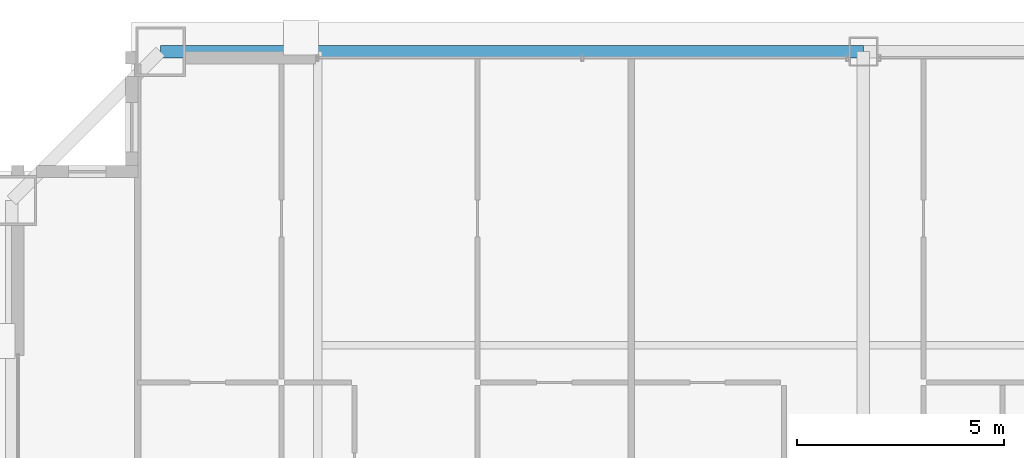
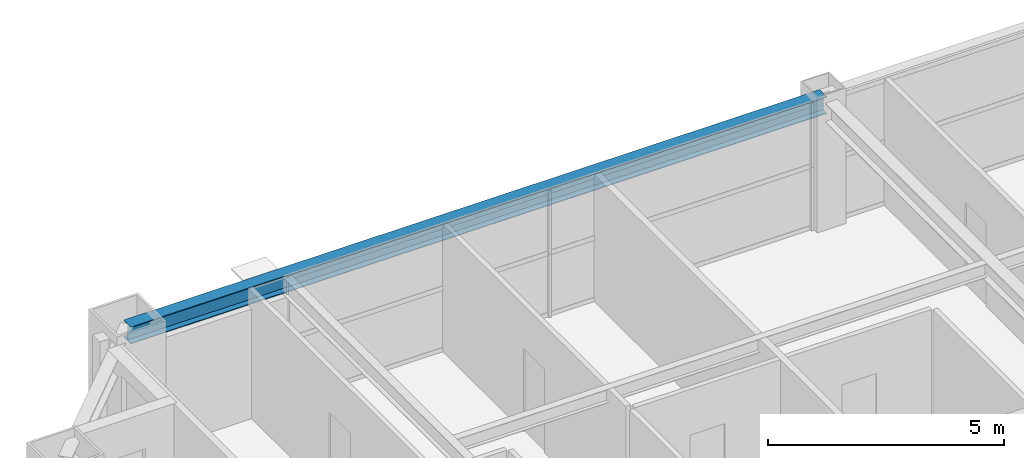
# One storey, part 25 of 37: 1 beam.
"""IFC4 building model written with IfcOpenShell, lengths in metres."""

import ifcopenshell
import ifcopenshell.guid

model = None  # the IFC model being written
_history = None  # IfcOwnerHistory: only IFC2X3 demands one
_inside = {}  # id of a spatial element -> (the spatial element, [elements in it])
_under = {}  # id of a project, library or spatial element -> (it, [spatial elements below it])
_declared = {}  # id of a project -> (the project, [libraries it declares])
_typed = {}  # id of a type object -> (the type object, [elements of that type])
_made_of = {}  # id of a material, layer set ... -> (it, [elements and type objects made of it])


def new_model(schema):
    """Start an empty IFC model of exactly this schema.

    Asked for "IFC4X3", IfcOpenShell would pick the latest addendum, in which some entities
    have other attributes; the version numbers below select the first issue.
    IFC2X3 requires an IfcOwnerHistory on every rooted entity: one is made here for all.
    """
    global model, _history
    if schema == "IFC4X3":
        model = ifcopenshell.file(schema_version=(4, 3, 0, 0))
    else:
        model = ifcopenshell.file(schema=schema)
    _inside.clear()
    _under.clear()
    _declared.clear()
    _typed.clear()
    _made_of.clear()
    _history = None
    if model.schema == "IFC2X3":
        org = make("IfcOrganization", Name="unknown")
        user = make(
            "IfcPersonAndOrganization",
            ThePerson=make("IfcPerson", FamilyName="unknown"),
            TheOrganization=org,
        )
        app = make(
            "IfcApplication",
            ApplicationDeveloper=org,
            Version="unknown",
            ApplicationFullName="unknown",
            ApplicationIdentifier="unknown",
        )
        _history = make(
            "IfcOwnerHistory",
            OwningUser=user,
            OwningApplication=app,
            ChangeAction="ADDED",
            CreationDate=0,
        )
    return model


def make(cls, **values):
    """One entity of the class cls with the attributes given. An attribute that is None is left unset."""
    return model.create_entity(
        cls, **{name: value for name, value in values.items() if value is not None}
    )


def rooted(cls, **values):
    """An entity with a GlobalId (a new one), such as an element, a storey or a relation."""
    return make(cls, GlobalId=ifcopenshell.guid.new(), OwnerHistory=_history, **values)


def si_unit(unit_type, name, prefix=None):
    """IfcSIUnit, for example si_unit("LENGTHUNIT", "METRE", prefix="MILLI")."""
    return make("IfcSIUnit", UnitType=unit_type, Prefix=prefix, Name=name)


def assignment(units):
    """IfcUnitAssignment: the units of a project."""
    return None if units is None else make("IfcUnitAssignment", Units=units)


def point(xyz):
    """IfcCartesianPoint."""
    return None if xyz is None else make("IfcCartesianPoint", Coordinates=xyz)


def direction(xyz):
    """IfcDirection."""
    return None if xyz is None else make("IfcDirection", DirectionRatios=xyz)


def frame(location, z_axis=None, x_axis=None):
    """IfcAxis2Placement3D, a coordinate frame: its origin and axes. An axis left out is left unset."""
    return make(
        "IfcAxis2Placement3D",
        Location=point(location),
        Axis=direction(z_axis),
        RefDirection=direction(x_axis),
    )


def frame_2d(location, x_axis=None):
    """IfcAxis2Placement2D, a coordinate frame in the plane: its origin and x axis."""
    return make(
        "IfcAxis2Placement2D", Location=point(location), RefDirection=direction(x_axis)
    )


def origin():
    """The frame at (0, 0, 0) with its axes left unset."""
    return frame((0.0, 0.0, 0.0))


def origin_2d():
    """The frame at (0, 0) in the plane with its x axis left unset."""
    return frame_2d((0.0, 0.0))


def place(relative_to, where):
    """IfcLocalPlacement: puts the frame where relative to a parent placement (None: the world)."""
    return make(
        "IfcLocalPlacement", PlacementRelTo=relative_to, RelativePlacement=where
    )


def context(
    kind, dimensions, precision=None, world=None, true_north=None, identifier=None
):
    """IfcGeometricRepresentationContext, for example the 3D "Model" context."""
    return make(
        "IfcGeometricRepresentationContext",
        ContextIdentifier=identifier,
        ContextType=kind,
        CoordinateSpaceDimension=dimensions,
        Precision=precision,
        WorldCoordinateSystem=world,
        TrueNorth=true_north,
    )


def subcontext(parent, identifier, kind, view, scale=None):
    """IfcGeometricRepresentationSubContext, for example "Body" below "Model"."""
    return make(
        "IfcGeometricRepresentationSubContext",
        ContextIdentifier=identifier,
        ContextType=kind,
        ParentContext=parent,
        TargetScale=scale,
        TargetView=view,
    )


def project(units=None, contexts=None):
    """IfcProject with its units and contexts."""
    return rooted(
        "IfcProject",
        Name="project",
        RepresentationContexts=contexts,
        UnitsInContext=assignment(units),
    )


def spatial(cls, under=None, at=None, **own):
    """A site, building, storey or space (cls), placed at a placement, below another one or the project."""
    s = rooted(cls, ObjectPlacement=at, **own)
    if under is not None:
        _under.setdefault(under.id(), (under, []))[1].append(s)
    return s


def profile(cls, at=None, kind="AREA", **sizes):
    """A parametric profile (cls). Its sizes go by their IFC names, for example OverallWidth=200.0."""
    return make(cls, ProfileType=kind, Position=at, **sizes)


def i_section(**sizes):
    """IfcIShapeProfileDef."""
    return profile("IfcIShapeProfileDef", **sizes)


def extrude(swept, where, along, depth):
    """IfcExtrudedAreaSolid: the profile swept, set in the frame where, extruded along a direction by depth."""
    return make(
        "IfcExtrudedAreaSolid",
        SweptArea=swept,
        Position=where,
        ExtrudedDirection=direction(along),
        Depth=depth,
    )


def shape(context_of_items, identifier, shape_type, items):
    """IfcShapeRepresentation: the items that make up one representation, for example the "Body"."""
    return make(
        "IfcShapeRepresentation",
        ContextOfItems=context_of_items,
        RepresentationIdentifier=identifier,
        RepresentationType=shape_type,
        Items=items,
    )


def source(mapping_origin, context_of_items, identifier, shape_type, items):
    """IfcRepresentationMap: a shape defined once, which mapped items show again and again."""
    return make(
        "IfcRepresentationMap",
        MappingOrigin=mapping_origin,
        MappedRepresentation=shape(context_of_items, identifier, shape_type, items),
    )


def transform(
    local_origin,
    x_axis=None,
    y_axis=None,
    z_axis=None,
    scale=None,
    scale2=None,
    scale3=None,
    uniform=True,
):
    """IfcCartesianTransformationOperator3D, or its non-uniform kind. x_axis, y_axis, z_axis: its Axis1, 2, 3."""
    if uniform:
        return make(
            "IfcCartesianTransformationOperator3D",
            Axis1=direction(x_axis),
            Axis2=direction(y_axis),
            LocalOrigin=point(local_origin),
            Scale=scale,
            Axis3=direction(z_axis),
        )
    return make(
        "IfcCartesianTransformationOperator3DnonUniform",
        Axis1=direction(x_axis),
        Axis2=direction(y_axis),
        LocalOrigin=point(local_origin),
        Scale=scale,
        Axis3=direction(z_axis),
        Scale2=scale2,
        Scale3=scale3,
    )


def mapped(mapping_source, mapping_target):
    """IfcMappedItem: shows the shape of a source again, moved by a transform."""
    return make(
        "IfcMappedItem", MappingSource=mapping_source, MappingTarget=mapping_target
    )


def material(Name=None, Category=None):
    """IfcMaterial."""
    return make("IfcMaterial", Name=Name, Category=Category)


def material_profile(
    of_material, cross_section, Name=None, Category=None, Priority=None
):
    """IfcMaterialProfile: a cross section and its material."""
    return make(
        "IfcMaterialProfile",
        Name=Name,
        Material=of_material,
        Profile=cross_section,
        Priority=Priority,
        Category=Category,
    )


def profile_set(profiles, Name=None, composite=None):
    """IfcMaterialProfileSet."""
    return make(
        "IfcMaterialProfileSet",
        Name=Name,
        MaterialProfiles=profiles,
        CompositeProfile=composite,
    )


def made_of(thing, what):
    """Note that an element or type object is made of a material, layer set ...; save() writes the relation."""
    if what is not None:
        _made_of.setdefault(what.id(), (what, []))[1].append(thing)
    return thing


def type_object(cls, material=None, **own):
    """A type object (cls), such as IfcWallType, which elements share."""
    return made_of(rooted(cls, **own), material)


def element(
    cls,
    number,
    at=None,
    inside=None,
    cuts=None,
    type_object=None,
    material=None,
    context=None,
    identifier="Body",
    shape_type=None,
    held_by="IfcProductDefinitionShape",
    body=None,
    shapes=None,
    **own,
):
    """One element of the class cls, such as IfcWall. Its Tag is "e" and its number.

    at: its placement. inside: the storey or other place that contains it. cuts: it is an
    opening in that element (IfcRelVoidsElement). A single representation is given by context,
    identifier, shape_type and body (its items); several are given by shapes. held_by: the class
    of the entity that holds the representations. save() writes the other relations.
    """
    e = rooted(cls, Tag="e%d" % number, ObjectPlacement=at, **own)
    if body is not None:
        shapes = [shape(context, identifier, shape_type, body)]
    if shapes is not None:
        e.Representation = make(held_by, Representations=shapes)
    if inside is not None:
        _inside.setdefault(inside.id(), (inside, []))[1].append(e)
    if cuts is not None:
        rooted(
            "IfcRelVoidsElement", RelatingBuildingElement=cuts, RelatedOpeningElement=e
        )
    if type_object is not None:
        _typed.setdefault(type_object.id(), (type_object, []))[1].append(e)
    return made_of(e, material)


def aggregate(whole, parts):
    """IfcRelAggregates: a whole, such as a stair, and the parts it consists of."""
    return rooted("IfcRelAggregates", RelatingObject=whole, RelatedObjects=parts)


def save(model, path):
    """Write the relations noted so far, then the file.

    IfcRelAggregates (storeys below a building ...), IfcRelContainedInSpatialStructure (elements
    in a storey), IfcRelDefinesByType, IfcRelAssociatesMaterial and IfcRelDeclares: one each for
    every whole, place, type object, material and project.
    """
    for whole, parts in _under.values():
        aggregate(whole, parts)
    for where, things in _inside.values():
        rooted(
            "IfcRelContainedInSpatialStructure",
            RelatedElements=things,
            RelatingStructure=where,
        )
    for kind, things in _typed.values():
        rooted("IfcRelDefinesByType", RelatedObjects=things, RelatingType=kind)
    for what, things in _made_of.values():
        rooted("IfcRelAssociatesMaterial", RelatedObjects=things, RelatingMaterial=what)
    for by, libraries in _declared.values():
        rooted("IfcRelDeclares", RelatingContext=by, RelatedDefinitions=libraries)
    model.write(path)


model = new_model("IFC4")

# Units and contexts
model_context = context("Model", 3, precision=1e-05, world=origin(), true_north=direction((0.0, 1.0)))
body_context = subcontext(model_context, "Body", "Model", "MODEL_VIEW")
ifc_project = project(units=[si_unit("LENGTHUNIT", "METRE"), si_unit("AREAUNIT", "SQUARE_METRE"), si_unit("VOLUMEUNIT", "CUBIC_METRE"), si_unit("PLANEANGLEUNIT", "RADIAN"), si_unit("MASSUNIT", "GRAM", prefix="KILO"), si_unit("THERMODYNAMICTEMPERATUREUNIT", "KELVIN"), si_unit("POWERUNIT", "WATT")], contexts=[model_context])

# Site, building, storey
site_placement = place(None, origin())
site = spatial("IfcSite", under=ifc_project, at=site_placement, CompositionType="ELEMENT")
building_placement = place(site_placement, origin())
building = spatial("IfcBuilding", under=site, at=building_placement, Name="Yuzanri Waterfront Tower", CompositionType="ELEMENT")
storey_placement = place(building_placement, frame((0.0, 0.0, 245.10009765625)))
storey = spatial("IfcBuildingStorey", under=building, at=storey_placement, Name="L65", CompositionType="ELEMENT", Elevation=245.10009765625)

# Beam
ifc_material = material(Name="Steel Q355B", Category="steel")
ifc_material_profile = material_profile(ifc_material, i_section(OverallWidth=0.300048828125, OverallDepth=0.43994140625, WebThickness=0.010986328125, FlangeThickness=0.01806640625, at=origin_2d()), Name="HM 440x300x11x18")
ifc_profile_set = profile_set([ifc_material_profile], Name="Steel Q355B")
beam_type = type_object("IfcBeamType", Name="Perimeter Spandrel Q355B HM 440x300", PredefinedType="SPANDREL", material=ifc_profile_set)
shared_shape = source(origin(), body_context, "Body", "SweptSolid", [
    extrude(i_section(OverallWidth=0.300048828125, OverallDepth=0.43994140625, WebThickness=0.010986328125, FlangeThickness=0.01806640625, at=origin_2d()), origin(), (0.0, 0.0, 1.0), 17.0),
])
beam_placement = place(storey_placement, frame((37.0, 46.39990234375, 3.059814453125), z_axis=(-1.0, 0.0, 0.0), x_axis=(0.0, -1.0, 0.0)))
element("IfcBeam", 1, at=beam_placement, inside=storey, type_object=beam_type, Name="L65 Perimeter Spandrel N2-N1", PredefinedType="SPANDREL", context=body_context, shape_type="MappedRepresentation", body=[
    mapped(shared_shape, transform((0.0, 0.0, 0.0), scale=1.0)),
])

save(model, "model.ifc")
